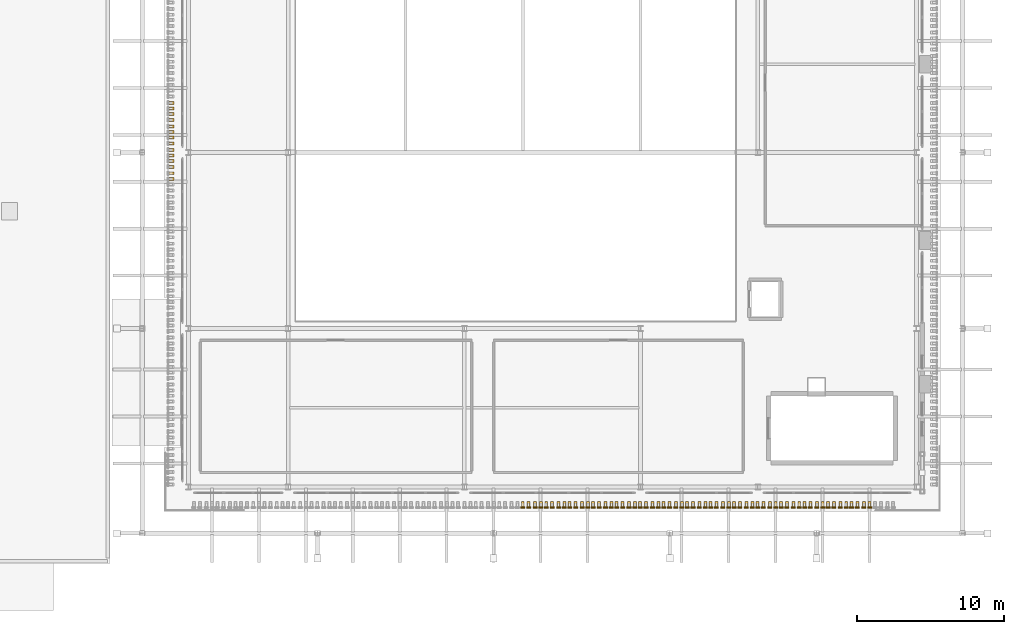
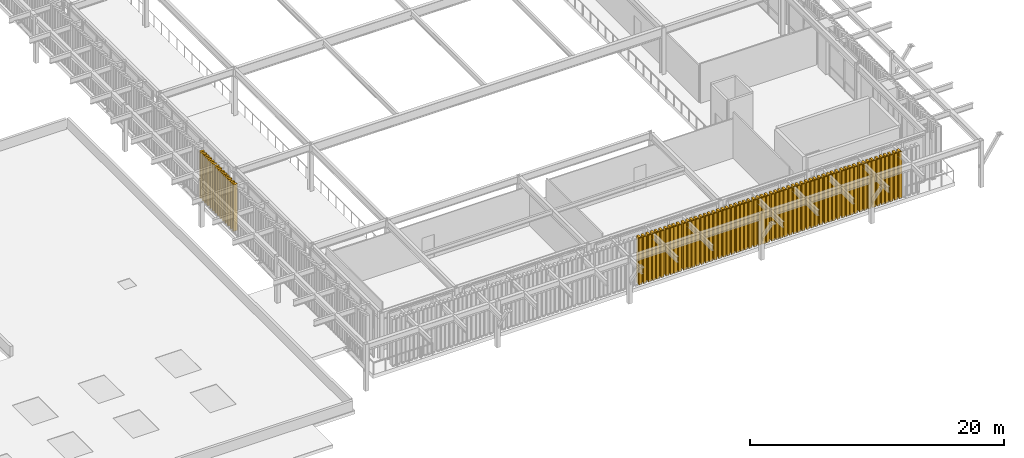
# One storey, part 117 of 126: 74 coverings, 60 shading devices.
"""IFC4 building model written with IfcOpenShell, lengths in metres."""

from ifc_helpers import new_model, si_unit, derived_unit, direction, frame, origin, origin_2d, place, context, subcontext, project, spatial, rectangle, extrude, material, layer, layer_set, material_profile, profile_set, type_object, element, save


model = new_model("IFC4")

# Units and contexts
model_context = context("Model", 3, precision=1e-05, world=origin(), true_north=direction((0.0, 1.0)))
body_context = subcontext(model_context, "Body", "Model", "MODEL_VIEW")
ifc_project = project(units=[si_unit("LENGTHUNIT", "METRE"), si_unit("AREAUNIT", "SQUARE_METRE"), si_unit("VOLUMEUNIT", "CUBIC_METRE"), si_unit("PLANEANGLEUNIT", "RADIAN"), si_unit("MASSUNIT", "GRAM", prefix="KILO"), derived_unit("THERMALTRANSMITTANCEUNIT", [(si_unit("MASSUNIT", "GRAM", prefix="KILO"), 1), (si_unit("TIMEUNIT", "SECOND"), -3), (si_unit("THERMODYNAMICTEMPERATUREUNIT", "KELVIN"), -1)])], contexts=[model_context])

# Site, building, storey
site_placement = place(None, origin())
site = spatial("IfcSite", under=ifc_project, at=site_placement, CompositionType="ELEMENT")
building_placement = place(site_placement, origin())
building = spatial("IfcBuilding", under=site, at=building_placement, Name="Valcora Ridge Arena", CompositionType="ELEMENT")
storey_placement = place(building_placement, frame((0.0, 0.0, 11.39990234375)))
storey = spatial("IfcBuildingStorey", under=building, at=storey_placement, Name="L02", CompositionType="ELEMENT", Elevation=11.39990234375)

# Coverings
ifc_material = material(Name="Anodised terracotta-bronze aluminium lancet batten 6063-T6", Category="masonry")
ifc_layer = layer(ifc_material, 0.199951171875, Name="Anodised terracotta-bronze aluminium lancet batten 6063-T6")
ifc_layer_set = layer_set([ifc_layer], Name="Anodised terracotta-bronze aluminium lancet batten 6063-T6")
covering_type = type_object("IfcCoveringType", Name="TY-COVERING-BAT-LANCET-448", PredefinedType="CLADDING", material=ifc_layer_set)
for number, where, z_axis, x_axis, name in (
    (1, (136.050048828125, 26.179931640625, 0.0), (0.0, 0.0, 1.0), (1.0, 0.0, 0.0), "BAT-LANCET-448 COV-BT-0105"),
    (2, (136.050048828125, 26.580078125, 0.0), (0.0, 0.0, 1.0), (1.0, 0.0, 0.0), "BAT-LANCET-448 COV-BT-0107"),
    (3, (136.050048828125, 27.02001953125, 0.0), (0.0, 0.0, 1.0), (1.0, 0.0, 0.0), "BAT-LANCET-448 COV-BT-0109"),
    (4, (136.050048828125, 27.419921875, 0.0), (0.0, 0.0, 1.0), (1.0, 0.0, 0.0), "BAT-LANCET-448 COV-BT-0111"),
    (5, (136.050048828125, 27.780029296875, 0.0), (0.0, 0.0, 1.0), (1.0, 0.0, 0.0), "BAT-LANCET-448 COV-BT-0113"),
    (6, (136.050048828125, 28.179931640625, 0.0), (0.0, 0.0, 1.0), (1.0, 0.0, 0.0), "BAT-LANCET-448 COV-BT-0115"),
    (7, (136.050048828125, 28.6201171875, 0.0), (0.0, 0.0, 1.0), (1.0, 0.0, 0.0), "BAT-LANCET-448 COV-BT-0117"),
    (8, (136.050048828125, 29.02001953125, 0.0), (0.0, 0.0, 1.0), (1.0, 0.0, 0.0), "BAT-LANCET-448 COV-BT-0119"),
    (9, (136.050048828125, 29.3798828125, 0.0), (0.0, 0.0, 1.0), (1.0, 0.0, 0.0), "BAT-LANCET-448 COV-BT-0121"),
    (10, (136.050048828125, 29.780029296875, 0.0), (0.0, 0.0, 1.0), (1.0, 0.0, 0.0), "BAT-LANCET-448 COV-BT-0123"),
    (11, (136.050048828125, 30.219970703125, 0.0), (0.0, 0.0, 1.0), (1.0, 0.0, 0.0), "BAT-LANCET-448 COV-BT-0125"),
    (12, (136.050048828125, 30.6201171875, 0.0), (0.0, 0.0, 1.0), (1.0, 0.0, 0.0), "BAT-LANCET-448 COV-BT-0127"),
    (13, (136.050048828125, 30.97998046875, 0.0), (0.0, 0.0, 1.0), (1.0, 0.0, 0.0), "BAT-LANCET-448 COV-BT-0129"),
    (14, (136.050048828125, 31.3798828125, 0.0), (0.0, 0.0, 1.0), (1.0, 0.0, 0.0), "BAT-LANCET-448 COV-BT-0131"),
):
    element("IfcCovering", number, at=place(storey_placement, frame(where, z_axis=z_axis, x_axis=x_axis)), inside=storey, type_object=covering_type, Name=name, PredefinedType="CLADDING", context=body_context, shape_type="SweptSolid", body=[
        extrude(rectangle(XDim=0.360107421875, YDim=0.199951171875, at=origin_2d()), origin(), (0.0, 0.0, 1.0), 4.47998046875),
    ])
for number, where, z_axis, x_axis, name in (
    (15, (159.97998046875, 4.050048828125, 0.0), (0.0, 0.0, 1.0), (1.0, 0.0, 0.0), "BAT-LANCET-448 COV-BT-0473"),
    (16, (160.3798828125, 4.050048828125, 0.0), (0.0, 0.0, 1.0), (1.0, 0.0, 0.0), "BAT-LANCET-448 COV-BT-0475"),
    (17, (160.820068359375, 4.050048828125, 0.0), (0.0, 0.0, 1.0), (1.0, 0.0, 0.0), "BAT-LANCET-448 COV-BT-0477"),
    (18, (161.219970703125, 4.050048828125, 0.0), (0.0, 0.0, 1.0), (1.0, 0.0, 0.0), "BAT-LANCET-448 COV-BT-0479"),
    (19, (161.580078125, 4.050048828125, 0.0), (0.0, 0.0, 1.0), (1.0, 0.0, 0.0), "BAT-LANCET-448 COV-BT-0481"),
    (20, (161.97998046875, 4.050048828125, 0.0), (0.0, 0.0, 1.0), (1.0, 0.0, 0.0), "BAT-LANCET-448 COV-BT-0483"),
    (21, (162.419921875, 4.050048828125, 0.0), (0.0, 0.0, 1.0), (1.0, 0.0, 0.0), "BAT-LANCET-448 COV-BT-0485"),
    (22, (162.820068359375, 4.050048828125, 0.0), (0.0, 0.0, 1.0), (1.0, 0.0, 0.0), "BAT-LANCET-448 COV-BT-0487"),
    (23, (163.179931640625, 4.050048828125, 0.0), (0.0, 0.0, 1.0), (1.0, 0.0, 0.0), "BAT-LANCET-448 COV-BT-0489"),
    (24, (163.580078125, 4.050048828125, 0.0), (0.0, 0.0, 1.0), (1.0, 0.0, 0.0), "BAT-LANCET-448 COV-BT-0491"),
    (25, (164.02001953125, 4.050048828125, 0.0), (0.0, 0.0, 1.0), (1.0, 0.0, 0.0), "BAT-LANCET-448 COV-BT-0492"),
    (26, (164.419921875, 4.050048828125, 0.0), (0.0, 0.0, 1.0), (1.0, 0.0, 0.0), "BAT-LANCET-448 COV-BT-0493"),
    (27, (164.780029296875, 4.050048828125, 0.0), (0.0, 0.0, 1.0), (1.0, 0.0, 0.0), "BAT-LANCET-448 COV-BT-0494"),
    (28, (165.179931640625, 4.050048828125, 0.0), (0.0, 0.0, 1.0), (1.0, 0.0, 0.0), "BAT-LANCET-448 COV-BT-0495"),
    (29, (165.6201171875, 4.050048828125, 0.0), (0.0, 0.0, 1.0), (1.0, 0.0, 0.0), "BAT-LANCET-448 COV-BT-0496"),
    (30, (166.02001953125, 4.050048828125, 0.0), (0.0, 0.0, 1.0), (1.0, 0.0, 0.0), "BAT-LANCET-448 COV-BT-0497"),
    (31, (166.3798828125, 4.050048828125, 0.0), (0.0, 0.0, 1.0), (1.0, 0.0, 0.0), "BAT-LANCET-448 COV-BT-0498"),
    (32, (166.780029296875, 4.050048828125, 0.0), (0.0, 0.0, 1.0), (1.0, 0.0, 0.0), "BAT-LANCET-448 COV-BT-0499"),
    (33, (167.219970703125, 4.050048828125, 0.0), (0.0, 0.0, 1.0), (1.0, 0.0, 0.0), "BAT-LANCET-448 COV-BT-0500"),
    (34, (167.6201171875, 4.050048828125, 0.0), (0.0, 0.0, 1.0), (1.0, 0.0, 0.0), "BAT-LANCET-448 COV-BT-0501"),
    (35, (167.97998046875, 4.050048828125, 0.0), (0.0, 0.0, 1.0), (1.0, 0.0, 0.0), "BAT-LANCET-448 COV-BT-0502"),
    (36, (168.3798828125, 4.050048828125, 0.0), (0.0, 0.0, 1.0), (1.0, 0.0, 0.0), "BAT-LANCET-448 COV-BT-0503"),
    (37, (168.820068359375, 4.050048828125, 0.0), (0.0, 0.0, 1.0), (1.0, 0.0, 0.0), "BAT-LANCET-448 COV-BT-0504"),
    (38, (169.219970703125, 4.050048828125, 0.0), (0.0, 0.0, 1.0), (1.0, 0.0, 0.0), "BAT-LANCET-448 COV-BT-0505"),
    (39, (169.580078125, 4.050048828125, 0.0), (0.0, 0.0, 1.0), (1.0, 0.0, 0.0), "BAT-LANCET-448 COV-BT-0506"),
    (40, (169.97998046875, 4.050048828125, 0.0), (0.0, 0.0, 1.0), (1.0, 0.0, 0.0), "BAT-LANCET-448 COV-BT-0507"),
    (41, (170.419921875, 4.050048828125, 0.0), (0.0, 0.0, 1.0), (1.0, 0.0, 0.0), "BAT-LANCET-448 COV-BT-0508"),
    (42, (170.820068359375, 4.050048828125, 0.0), (0.0, 0.0, 1.0), (1.0, 0.0, 0.0), "BAT-LANCET-448 COV-BT-0509"),
    (43, (171.179931640625, 4.050048828125, 0.0), (0.0, 0.0, 1.0), (1.0, 0.0, 0.0), "BAT-LANCET-448 COV-BT-0510"),
    (44, (171.580078125, 4.050048828125, 0.0), (0.0, 0.0, 1.0), (1.0, 0.0, 0.0), "BAT-LANCET-448 COV-BT-0511"),
    (45, (172.02001953125, 4.050048828125, 0.0), (0.0, 0.0, 1.0), (1.0, 0.0, 0.0), "BAT-LANCET-448 COV-BT-0512"),
    (46, (172.419921875, 4.050048828125, 0.0), (0.0, 0.0, 1.0), (1.0, 0.0, 0.0), "BAT-LANCET-448 COV-BT-0513"),
    (47, (172.780029296875, 4.050048828125, 0.0), (0.0, 0.0, 1.0), (1.0, 0.0, 0.0), "BAT-LANCET-448 COV-BT-0514"),
    (48, (173.179931640625, 4.050048828125, 0.0), (0.0, 0.0, 1.0), (1.0, 0.0, 0.0), "BAT-LANCET-448 COV-BT-0515"),
    (49, (173.6201171875, 4.050048828125, 0.0), (0.0, 0.0, 1.0), (1.0, 0.0, 0.0), "BAT-LANCET-448 COV-BT-0516"),
    (50, (174.02001953125, 4.050048828125, 0.0), (0.0, 0.0, 1.0), (1.0, 0.0, 0.0), "BAT-LANCET-448 COV-BT-0517"),
    (51, (174.3798828125, 4.050048828125, 0.0), (0.0, 0.0, 1.0), (1.0, 0.0, 0.0), "BAT-LANCET-448 COV-BT-0518"),
    (52, (174.780029296875, 4.050048828125, 0.0), (0.0, 0.0, 1.0), (1.0, 0.0, 0.0), "BAT-LANCET-448 COV-BT-0519"),
    (53, (175.219970703125, 4.050048828125, 0.0), (0.0, 0.0, 1.0), (1.0, 0.0, 0.0), "BAT-LANCET-448 COV-BT-0520"),
    (54, (175.6201171875, 4.050048828125, 0.0), (0.0, 0.0, 1.0), (1.0, 0.0, 0.0), "BAT-LANCET-448 COV-BT-0521"),
    (55, (175.97998046875, 4.050048828125, 0.0), (0.0, 0.0, 1.0), (1.0, 0.0, 0.0), "BAT-LANCET-448 COV-BT-0522"),
    (56, (176.3798828125, 4.050048828125, 0.0), (0.0, 0.0, 1.0), (1.0, 0.0, 0.0), "BAT-LANCET-448 COV-BT-0523"),
    (57, (176.820068359375, 4.050048828125, 0.0), (0.0, 0.0, 1.0), (1.0, 0.0, 0.0), "BAT-LANCET-448 COV-BT-0524"),
    (58, (177.219970703125, 4.050048828125, 0.0), (0.0, 0.0, 1.0), (1.0, 0.0, 0.0), "BAT-LANCET-448 COV-BT-0525"),
    (59, (177.580078125, 4.050048828125, 0.0), (0.0, 0.0, 1.0), (1.0, 0.0, 0.0), "BAT-LANCET-448 COV-BT-0526"),
    (60, (177.97998046875, 4.050048828125, 0.0), (0.0, 0.0, 1.0), (1.0, 0.0, 0.0), "BAT-LANCET-448 COV-BT-0527"),
    (61, (178.419921875, 4.050048828125, 0.0), (0.0, 0.0, 1.0), (1.0, 0.0, 0.0), "BAT-LANCET-448 COV-BT-0528"),
    (62, (178.820068359375, 4.050048828125, 0.0), (0.0, 0.0, 1.0), (1.0, 0.0, 0.0), "BAT-LANCET-448 COV-BT-0529"),
    (63, (179.179931640625, 4.050048828125, 0.0), (0.0, 0.0, 1.0), (1.0, 0.0, 0.0), "BAT-LANCET-448 COV-BT-0531"),
    (64, (179.580078125, 4.050048828125, 0.0), (0.0, 0.0, 1.0), (1.0, 0.0, 0.0), "BAT-LANCET-448 COV-BT-0533"),
    (65, (180.02001953125, 4.050048828125, 0.0), (0.0, 0.0, 1.0), (1.0, 0.0, 0.0), "BAT-LANCET-448 COV-BT-0535"),
    (66, (180.419921875, 4.050048828125, 0.0), (0.0, 0.0, 1.0), (1.0, 0.0, 0.0), "BAT-LANCET-448 COV-BT-0537"),
    (67, (180.780029296875, 4.050048828125, 0.0), (0.0, 0.0, 1.0), (1.0, 0.0, 0.0), "BAT-LANCET-448 COV-BT-0539"),
    (68, (181.179931640625, 4.050048828125, 0.0), (0.0, 0.0, 1.0), (1.0, 0.0, 0.0), "BAT-LANCET-448 COV-BT-0541"),
    (69, (181.6201171875, 4.050048828125, 0.0), (0.0, 0.0, 1.0), (1.0, 0.0, 0.0), "BAT-LANCET-448 COV-BT-0543"),
    (70, (182.02001953125, 4.050048828125, 0.0), (0.0, 0.0, 1.0), (1.0, 0.0, 0.0), "BAT-LANCET-448 COV-BT-0545"),
    (71, (182.3798828125, 4.050048828125, 0.0), (0.0, 0.0, 1.0), (1.0, 0.0, 0.0), "BAT-LANCET-448 COV-BT-0547"),
    (72, (182.780029296875, 4.050048828125, 0.0), (0.0, 0.0, 1.0), (1.0, 0.0, 0.0), "BAT-LANCET-448 COV-BT-0549"),
    (73, (183.219970703125, 4.050048828125, 0.0), (0.0, 0.0, 1.0), (1.0, 0.0, 0.0), "BAT-LANCET-448 COV-BT-0551"),
    (74, (183.6201171875, 4.050048828125, 0.0), (0.0, 0.0, 1.0), (1.0, 0.0, 0.0), "BAT-LANCET-448 COV-BT-0553"),
):
    element("IfcCovering", number, at=place(storey_placement, frame(where, z_axis=z_axis, x_axis=x_axis)), inside=storey, type_object=covering_type, Name=name, PredefinedType="CLADDING", context=body_context, shape_type="SweptSolid", body=[
        extrude(rectangle(XDim=0.199951171875, YDim=0.360107421875, at=origin_2d()), origin(), (0.0, 0.0, 1.0), 4.47998046875),
    ])

# Shading devices
ifc_material_profile = material_profile(ifc_material, rectangle(XDim=0.090087890625, YDim=0.27587890625, at=origin_2d()), Name="ALU LANCET BATTEN 90x276")
ifc_profile_set = profile_set([ifc_material_profile], Name="Anodised terracotta-bronze aluminium lancet batten 6063-T6")
shading_device_type = type_object("IfcShadingDeviceType", Name="TY-SHADINGDEVICE-FIN-LANCET-448", PredefinedType="JALOUSIE", material=ifc_profile_set)
for number, where, z_axis, x_axis, name in (
    (75, (159.97998046875, 3.81005859375, 0.0), (0.0, 0.0, 1.0), (0.0, 1.0, 0.0), "FIN-LANCET-448 SHD-FN-0473"),
    (76, (160.3798828125, 3.81005859375, 0.0), (0.0, 0.0, 1.0), (0.0, 1.0, 0.0), "FIN-LANCET-448 SHD-FN-0475"),
    (77, (160.820068359375, 3.81005859375, 0.0), (0.0, 0.0, 1.0), (0.0, 1.0, 0.0), "FIN-LANCET-448 SHD-FN-0477"),
    (78, (161.219970703125, 3.81005859375, 0.0), (0.0, 0.0, 1.0), (0.0, 1.0, 0.0), "FIN-LANCET-448 SHD-FN-0479"),
    (79, (161.580078125, 3.81005859375, 0.0), (0.0, 0.0, 1.0), (0.0, 1.0, 0.0), "FIN-LANCET-448 SHD-FN-0481"),
    (80, (161.97998046875, 3.81005859375, 0.0), (0.0, 0.0, 1.0), (0.0, 1.0, 0.0), "FIN-LANCET-448 SHD-FN-0483"),
    (81, (162.419921875, 3.81005859375, 0.0), (0.0, 0.0, 1.0), (0.0, 1.0, 0.0), "FIN-LANCET-448 SHD-FN-0485"),
    (82, (162.820068359375, 3.81005859375, 0.0), (0.0, 0.0, 1.0), (0.0, 1.0, 0.0), "FIN-LANCET-448 SHD-FN-0487"),
    (83, (163.179931640625, 3.81005859375, 0.0), (0.0, 0.0, 1.0), (0.0, 1.0, 0.0), "FIN-LANCET-448 SHD-FN-0489"),
    (84, (163.580078125, 3.81005859375, 0.0), (0.0, 0.0, 1.0), (0.0, 1.0, 0.0), "FIN-LANCET-448 SHD-FN-0491"),
    (85, (164.02001953125, 3.81005859375, 0.0), (0.0, 0.0, 1.0), (0.0, 1.0, 0.0), "FIN-LANCET-448 SHD-FN-0492"),
    (86, (164.419921875, 3.81005859375, 0.0), (0.0, 0.0, 1.0), (0.0, 1.0, 0.0), "FIN-LANCET-448 SHD-FN-0493"),
    (87, (164.780029296875, 3.81005859375, 0.0), (0.0, 0.0, 1.0), (0.0, 1.0, 0.0), "FIN-LANCET-448 SHD-FN-0494"),
    (88, (165.179931640625, 3.81005859375, 0.0), (0.0, 0.0, 1.0), (0.0, 1.0, 0.0), "FIN-LANCET-448 SHD-FN-0495"),
    (89, (165.6201171875, 3.81005859375, 0.0), (0.0, 0.0, 1.0), (0.0, 1.0, 0.0), "FIN-LANCET-448 SHD-FN-0496"),
    (90, (166.02001953125, 3.81005859375, 0.0), (0.0, 0.0, 1.0), (0.0, 1.0, 0.0), "FIN-LANCET-448 SHD-FN-0497"),
    (91, (166.3798828125, 3.81005859375, 0.0), (0.0, 0.0, 1.0), (0.0, 1.0, 0.0), "FIN-LANCET-448 SHD-FN-0498"),
    (92, (166.780029296875, 3.81005859375, 0.0), (0.0, 0.0, 1.0), (0.0, 1.0, 0.0), "FIN-LANCET-448 SHD-FN-0499"),
    (93, (167.219970703125, 3.81005859375, 0.0), (0.0, 0.0, 1.0), (0.0, 1.0, 0.0), "FIN-LANCET-448 SHD-FN-0500"),
    (94, (167.6201171875, 3.81005859375, 0.0), (0.0, 0.0, 1.0), (0.0, 1.0, 0.0), "FIN-LANCET-448 SHD-FN-0501"),
    (95, (167.97998046875, 3.81005859375, 0.0), (0.0, 0.0, 1.0), (0.0, 1.0, 0.0), "FIN-LANCET-448 SHD-FN-0502"),
    (96, (168.3798828125, 3.81005859375, 0.0), (0.0, 0.0, 1.0), (0.0, 1.0, 0.0), "FIN-LANCET-448 SHD-FN-0503"),
    (97, (168.820068359375, 3.81005859375, 0.0), (0.0, 0.0, 1.0), (0.0, 1.0, 0.0), "FIN-LANCET-448 SHD-FN-0504"),
    (98, (169.219970703125, 3.81005859375, 0.0), (0.0, 0.0, 1.0), (0.0, 1.0, 0.0), "FIN-LANCET-448 SHD-FN-0505"),
    (99, (169.580078125, 3.81005859375, 0.0), (0.0, 0.0, 1.0), (0.0, 1.0, 0.0), "FIN-LANCET-448 SHD-FN-0506"),
    (100, (169.97998046875, 3.81005859375, 0.0), (0.0, 0.0, 1.0), (0.0, 1.0, 0.0), "FIN-LANCET-448 SHD-FN-0507"),
    (101, (170.419921875, 3.81005859375, 0.0), (0.0, 0.0, 1.0), (0.0, 1.0, 0.0), "FIN-LANCET-448 SHD-FN-0508"),
    (102, (170.820068359375, 3.81005859375, 0.0), (0.0, 0.0, 1.0), (0.0, 1.0, 0.0), "FIN-LANCET-448 SHD-FN-0509"),
    (103, (171.179931640625, 3.81005859375, 0.0), (0.0, 0.0, 1.0), (0.0, 1.0, 0.0), "FIN-LANCET-448 SHD-FN-0510"),
    (104, (171.580078125, 3.81005859375, 0.0), (0.0, 0.0, 1.0), (0.0, 1.0, 0.0), "FIN-LANCET-448 SHD-FN-0511"),
    (105, (172.02001953125, 3.81005859375, 0.0), (0.0, 0.0, 1.0), (0.0, 1.0, 0.0), "FIN-LANCET-448 SHD-FN-0512"),
    (106, (172.419921875, 3.81005859375, 0.0), (0.0, 0.0, 1.0), (0.0, 1.0, 0.0), "FIN-LANCET-448 SHD-FN-0513"),
    (107, (172.780029296875, 3.81005859375, 0.0), (0.0, 0.0, 1.0), (0.0, 1.0, 0.0), "FIN-LANCET-448 SHD-FN-0514"),
    (108, (173.179931640625, 3.81005859375, 0.0), (0.0, 0.0, 1.0), (0.0, 1.0, 0.0), "FIN-LANCET-448 SHD-FN-0515"),
    (109, (173.6201171875, 3.81005859375, 0.0), (0.0, 0.0, 1.0), (0.0, 1.0, 0.0), "FIN-LANCET-448 SHD-FN-0516"),
    (110, (174.02001953125, 3.81005859375, 0.0), (0.0, 0.0, 1.0), (0.0, 1.0, 0.0), "FIN-LANCET-448 SHD-FN-0517"),
    (111, (174.3798828125, 3.81005859375, 0.0), (0.0, 0.0, 1.0), (0.0, 1.0, 0.0), "FIN-LANCET-448 SHD-FN-0518"),
    (112, (174.780029296875, 3.81005859375, 0.0), (0.0, 0.0, 1.0), (0.0, 1.0, 0.0), "FIN-LANCET-448 SHD-FN-0519"),
    (113, (175.219970703125, 3.81005859375, 0.0), (0.0, 0.0, 1.0), (0.0, 1.0, 0.0), "FIN-LANCET-448 SHD-FN-0520"),
    (114, (175.6201171875, 3.81005859375, 0.0), (0.0, 0.0, 1.0), (0.0, 1.0, 0.0), "FIN-LANCET-448 SHD-FN-0521"),
    (115, (175.97998046875, 3.81005859375, 0.0), (0.0, 0.0, 1.0), (0.0, 1.0, 0.0), "FIN-LANCET-448 SHD-FN-0522"),
    (116, (176.3798828125, 3.81005859375, 0.0), (0.0, 0.0, 1.0), (0.0, 1.0, 0.0), "FIN-LANCET-448 SHD-FN-0523"),
    (117, (176.820068359375, 3.81005859375, 0.0), (0.0, 0.0, 1.0), (0.0, 1.0, 0.0), "FIN-LANCET-448 SHD-FN-0524"),
    (118, (177.219970703125, 3.81005859375, 0.0), (0.0, 0.0, 1.0), (0.0, 1.0, 0.0), "FIN-LANCET-448 SHD-FN-0525"),
    (119, (177.580078125, 3.81005859375, 0.0), (0.0, 0.0, 1.0), (0.0, 1.0, 0.0), "FIN-LANCET-448 SHD-FN-0526"),
    (120, (177.97998046875, 3.81005859375, 0.0), (0.0, 0.0, 1.0), (0.0, 1.0, 0.0), "FIN-LANCET-448 SHD-FN-0527"),
    (121, (178.419921875, 3.81005859375, 0.0), (0.0, 0.0, 1.0), (0.0, 1.0, 0.0), "FIN-LANCET-448 SHD-FN-0528"),
    (122, (178.820068359375, 3.81005859375, 0.0), (0.0, 0.0, 1.0), (0.0, 1.0, 0.0), "FIN-LANCET-448 SHD-FN-0529"),
    (123, (179.179931640625, 3.81005859375, 0.0), (0.0, 0.0, 1.0), (0.0, 1.0, 0.0), "FIN-LANCET-448 SHD-FN-0531"),
    (124, (179.580078125, 3.81005859375, 0.0), (0.0, 0.0, 1.0), (0.0, 1.0, 0.0), "FIN-LANCET-448 SHD-FN-0533"),
    (125, (180.02001953125, 3.81005859375, 0.0), (0.0, 0.0, 1.0), (0.0, 1.0, 0.0), "FIN-LANCET-448 SHD-FN-0535"),
    (126, (180.419921875, 3.81005859375, 0.0), (0.0, 0.0, 1.0), (0.0, 1.0, 0.0), "FIN-LANCET-448 SHD-FN-0537"),
    (127, (180.780029296875, 3.81005859375, 0.0), (0.0, 0.0, 1.0), (0.0, 1.0, 0.0), "FIN-LANCET-448 SHD-FN-0539"),
    (128, (181.179931640625, 3.81005859375, 0.0), (0.0, 0.0, 1.0), (0.0, 1.0, 0.0), "FIN-LANCET-448 SHD-FN-0541"),
    (129, (181.6201171875, 3.81005859375, 0.0), (0.0, 0.0, 1.0), (0.0, 1.0, 0.0), "FIN-LANCET-448 SHD-FN-0543"),
    (130, (182.02001953125, 3.81005859375, 0.0), (0.0, 0.0, 1.0), (0.0, 1.0, 0.0), "FIN-LANCET-448 SHD-FN-0545"),
    (131, (182.3798828125, 3.81005859375, 0.0), (0.0, 0.0, 1.0), (0.0, 1.0, 0.0), "FIN-LANCET-448 SHD-FN-0547"),
    (132, (182.780029296875, 3.81005859375, 0.0), (0.0, 0.0, 1.0), (0.0, 1.0, 0.0), "FIN-LANCET-448 SHD-FN-0549"),
    (133, (183.219970703125, 3.81005859375, 0.0), (0.0, 0.0, 1.0), (0.0, 1.0, 0.0), "FIN-LANCET-448 SHD-FN-0551"),
    (134, (183.6201171875, 3.81005859375, 0.0), (0.0, 0.0, 1.0), (0.0, 1.0, 0.0), "FIN-LANCET-448 SHD-FN-0553"),
):
    element("IfcShadingDevice", number, at=place(storey_placement, frame(where, z_axis=z_axis, x_axis=x_axis)), inside=storey, type_object=shading_device_type, Name=name, PredefinedType="JALOUSIE", context=body_context, shape_type="SweptSolid", body=[
        extrude(rectangle(XDim=0.090087890625, YDim=0.27587890625, at=origin_2d()), origin(), (0.0, 0.0, 1.0), 4.47998046875),
    ])

save(model, "model.ifc")
